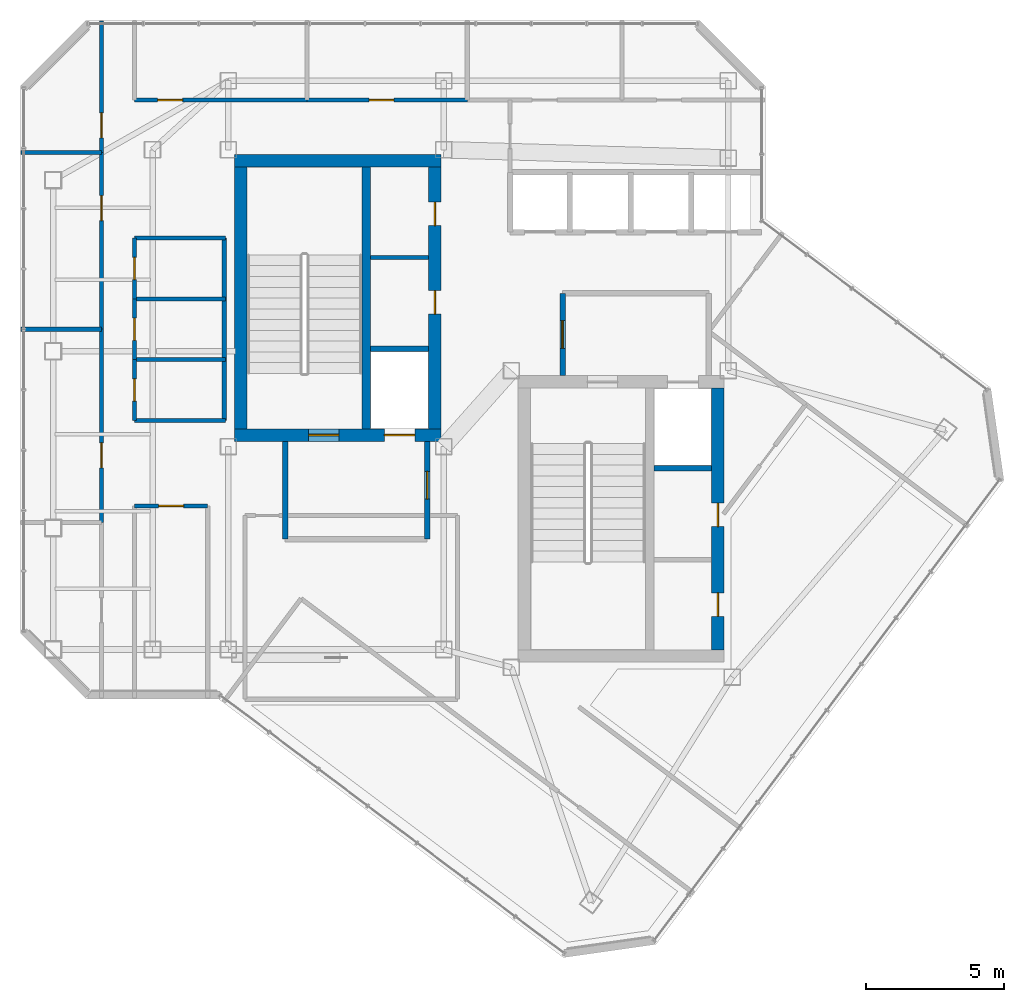
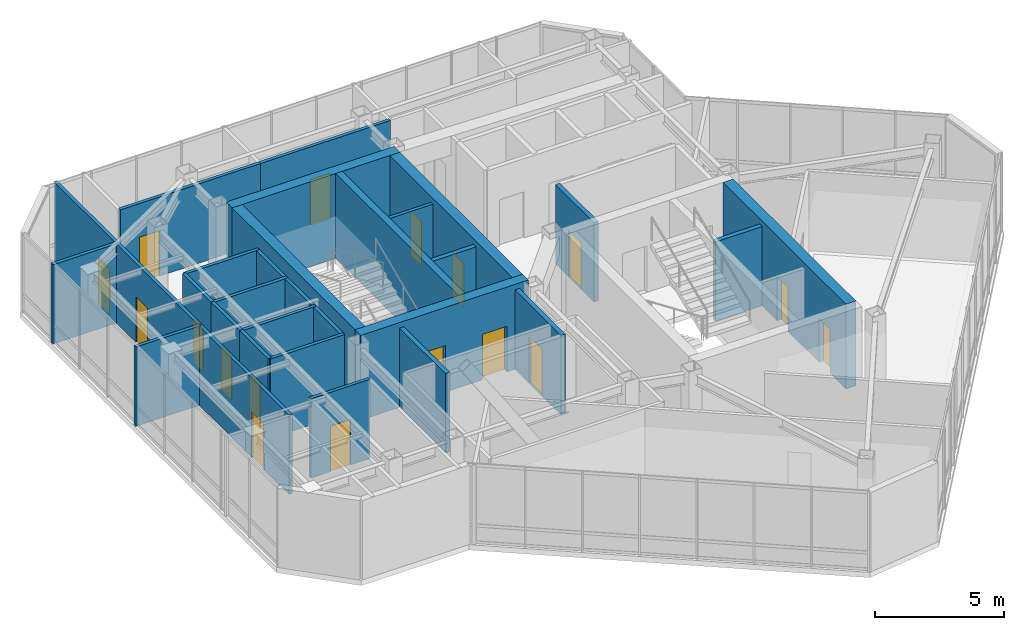
# One storey, part 27 of 31: 28 walls, 17 doors, 17 openings.
"""IFC4 building model written with IfcOpenShell, lengths in metres."""

from ifc_helpers import new_model, si_unit, direction, frame, frame_2d, origin, place, context, subcontext, project, spatial, rectangle, extrude, material, layer, layer_set, type_object, element, fill, save


model = new_model("IFC4")

# Units and contexts
model_context = context("Model", 3, precision=1e-05, world=origin(), true_north=direction((0.0, 1.0)))
body_context = subcontext(model_context, "Body", "Model", "MODEL_VIEW")
ifc_project = project(units=[si_unit("LENGTHUNIT", "METRE"), si_unit("AREAUNIT", "SQUARE_METRE"), si_unit("VOLUMEUNIT", "CUBIC_METRE"), si_unit("PLANEANGLEUNIT", "RADIAN"), si_unit("MASSUNIT", "GRAM", prefix="KILO")], contexts=[model_context])

# Site, building, storey
site_placement = place(None, origin())
site = spatial("IfcSite", under=ifc_project, at=site_placement, CompositionType="ELEMENT")
building_placement = place(site_placement, origin())
building = spatial("IfcBuilding", under=site, at=building_placement, Name="Hatsunagi Terrace Concourse", CompositionType="ELEMENT")
storey_placement = place(building_placement, frame((0.0, 0.0, 269.949951171875)))
storey = spatial("IfcBuildingStorey", under=building, at=storey_placement, Name="L71", CompositionType="ELEMENT", Elevation=269.949951171875)

# Wall, openings, doors
ifc_material_1 = material(Name="Concrete Fc42", Category="concrete")
ifc_layer_1 = layer(ifc_material_1, 0.449951171875)
ifc_layer_set_1 = layer_set([ifc_layer_1], Name="CoreShearWall_Fc42_450")
wall_type_1 = type_object("IfcWallType", Name="CoreShearWall_Fc42_450", PredefinedType="SHEAR", material=ifc_layer_set_1)
wall_1_placement = place(storey_placement, frame((25.77001953125, 32.965087890625, 0.0), z_axis=(0.0, 0.0, 1.0), x_axis=(1.0, 0.0, 0.0)))
wall_1 = element("IfcWall", 1, at=wall_1_placement, inside=storey, type_object=wall_type_1, Name="Core A Shear Wall S L71", PredefinedType="SHEAR", context=body_context, shape_type="SweptSolid", body=[
    extrude(rectangle(XDim=7.47998046875, YDim=0.449951171875, at=frame_2d((3.739990234375, 0.0))), origin(), (0.0, 0.0, 1.0), 4.0),
])
opening_1_placement = place(wall_1_placement, frame((2.679931640625, 0.0, 0.0)))
opening_1 = element("IfcOpeningElement", 2, at=opening_1_placement, cuts=wall_1, Name="Opening DR-110S", PredefinedType="OPENING", context=body_context, shape_type="SweptSolid", body=[
    extrude(rectangle(XDim=1.10009765625, YDim=2.199951171875, at=frame_2d((0.550048828125, 1.10009765625))), frame((0.0, 0.23486328125, 0.0), z_axis=(0.0, -1.0, 0.0), x_axis=(1.0, 0.0, 0.0)), (0.0, 0.0, 1.0), 0.469970703125),
])
opening_2_placement = place(wall_1_placement, frame((5.429931640625, 0.0, 0.0)))
opening_2 = element("IfcOpeningElement", 3, at=opening_2_placement, cuts=wall_1, Name="Opening LD-01", PredefinedType="OPENING", context=body_context, shape_type="SweptSolid", body=[
    extrude(rectangle(XDim=1.10009765625, YDim=2.14990234375, at=frame_2d((0.550048828125, 1.074951171875))), frame((0.0, 0.23486328125, 0.0), z_axis=(0.0, -1.0, 0.0), x_axis=(1.0, 0.0, 0.0)), (0.0, 0.0, 1.0), 0.469970703125),
])
ifc_material_2 = material(Name="Stainless steel", Category="steel")
door_type_1 = type_object("IfcDoorType", Name="LiftLandingDoor_LD01", OperationType="SLIDING_TO_LEFT", PredefinedType="USERDEFINED", material=ifc_material_2)
door_1_placement = place(opening_2_placement, origin())
door_1 = element("IfcDoor", 4, at=door_1_placement, inside=storey, type_object=door_type_1, Name="Lift landing door FF-01 L71", ObjectType="SLIDING_LANDING_DOOR", OperationType="SLIDING_TO_LEFT", OverallHeight=2.14990234375, OverallWidth=1.10009765625, PredefinedType="USERDEFINED", context=body_context, shape_type="SweptSolid", body=[
    extrude(rectangle(XDim=1.10009765625, YDim=2.14990234375, at=frame_2d((0.550048828125, 1.074951171875))), frame((0.0, 0.02490234375, 0.0), z_axis=(0.0, -1.0, 0.0), x_axis=(1.0, 0.0, 0.0)), (0.0, 0.0, 1.0), 0.050048828125),
])
fill(opening_2, door_1)
ifc_material_3 = material(Name="Painted steel", Category="steel")
door_type_2 = type_object("IfcDoorType", Name="StairFireDoor_EI60_1100", OperationType="NOTDEFINED", PredefinedType="DOOR", material=ifc_material_3)
door_2_placement = place(opening_1_placement, origin())
door_2 = element("IfcDoor", 5, at=door_2_placement, inside=storey, type_object=door_type_2, Name="Stair ST-A Exit Door L71", OperationType="SINGLE_SWING_LEFT", OverallHeight=2.199951171875, OverallWidth=1.10009765625, PredefinedType="DOOR", context=body_context, shape_type="SweptSolid", body=[
    extrude(rectangle(XDim=1.10009765625, YDim=2.199951171875, at=frame_2d((0.550048828125, 1.10009765625))), frame((0.0, 0.02490234375, 0.0), z_axis=(0.0, -1.0, 0.0), x_axis=(1.0, 0.0, 0.0)), (0.0, 0.0, 1.0), 0.050048828125),
])
fill(opening_1, door_2)

# Walls
wall_2_placement = place(storey_placement, frame((25.77001953125, 42.89501953125, 0.0), z_axis=(0.0, 0.0, 1.0), x_axis=(1.0, 0.0, 0.0)))
element("IfcWall", 6, at=wall_2_placement, inside=storey, type_object=wall_type_1, Name="Core A Shear Wall N L71", PredefinedType="SHEAR", context=body_context, shape_type="SweptSolid", body=[
    extrude(rectangle(XDim=7.47998046875, YDim=0.449951171875, at=frame_2d((3.739990234375, 0.0))), origin(), (0.0, 0.0, 1.0), 4.0),
])
wall_3_placement = place(storey_placement, frame((25.9951171875, 33.18994140625, 0.0), z_axis=(0.0, 0.0, 1.0), x_axis=(0.0, 1.0, 0.0)))
element("IfcWall", 7, at=wall_3_placement, inside=storey, type_object=wall_type_1, Name="Core A Shear Wall W L71", PredefinedType="SHEAR", context=body_context, shape_type="SweptSolid", body=[
    extrude(rectangle(XDim=9.47998046875, YDim=0.449951171875, at=frame_2d((4.739990234375, 0.0))), origin(), (0.0, 0.0, 1.0), 4.0),
])

# Wall, openings, doors
wall_4_placement = place(storey_placement, frame((33.02490234375, 33.18994140625, 0.0), z_axis=(0.0, 0.0, 1.0), x_axis=(0.0, 1.0, 0.0)))
wall_4 = element("IfcWall", 8, at=wall_4_placement, inside=storey, type_object=wall_type_1, Name="Core A Shear Wall E L71", PredefinedType="SHEAR", context=body_context, shape_type="SweptSolid", body=[
    extrude(rectangle(XDim=9.47998046875, YDim=0.449951171875, at=frame_2d((4.739990234375, 0.0))), origin(), (0.0, 0.0, 1.0), 4.0),
])
opening_3_placement = place(wall_4_placement, frame((4.159912109375, 0.0, 0.0)))
opening_3 = element("IfcOpeningElement", 9, at=opening_3_placement, cuts=wall_4, Name="Opening DR-085", PredefinedType="OPENING", context=body_context, shape_type="SweptSolid", body=[
    extrude(rectangle(XDim=0.85009765625, YDim=2.080078125, at=frame_2d((0.425048828125, 1.0400390625))), frame((0.0, 0.23486328125, 0.0), z_axis=(0.0, -1.0, 0.0), x_axis=(1.0, 0.0, 0.0)), (0.0, 0.0, 1.0), 0.469970703125),
])
opening_4_placement = place(wall_4_placement, frame((7.360107421875, 0.0, 0.0)))
opening_4 = element("IfcOpeningElement", 10, at=opening_4_placement, cuts=wall_4, Name="Opening DR-085", PredefinedType="OPENING", context=body_context, shape_type="SweptSolid", body=[
    extrude(rectangle(XDim=0.85009765625, YDim=2.080078125, at=frame_2d((0.425048828125, 1.0400390625))), frame((0.0, 0.23486328125, 0.0), z_axis=(0.0, -1.0, 0.0), x_axis=(1.0, 0.0, 0.0)), (0.0, 0.0, 1.0), 0.469970703125),
])
ifc_material_4 = material(Name="Painted steel", Category="steel")
door_type_3 = type_object("IfcDoorType", Name="RiserAccessDoor_EI60_850", OperationType="NOTDEFINED", PredefinedType="DOOR", material=ifc_material_4)
door_3_placement = place(opening_3_placement, origin())
door_3 = element("IfcDoor", 11, at=door_3_placement, inside=storey, type_object=door_type_3, Name="Core A Riser Door L71-1", OperationType="SINGLE_SWING_LEFT", OverallHeight=2.080078125, OverallWidth=0.85009765625, PredefinedType="DOOR", context=body_context, shape_type="SweptSolid", body=[
    extrude(rectangle(XDim=0.85009765625, YDim=2.080078125, at=frame_2d((0.425048828125, 1.0400390625))), frame((0.0, 0.02490234375, 0.0), z_axis=(0.0, -1.0, 0.0), x_axis=(1.0, 0.0, 0.0)), (0.0, 0.0, 1.0), 0.050048828125),
])
fill(opening_3, door_3)
door_4_placement = place(opening_4_placement, origin())
door_4 = element("IfcDoor", 12, at=door_4_placement, inside=storey, type_object=door_type_3, Name="Core A Riser Door L71-2", OperationType="SINGLE_SWING_LEFT", OverallHeight=2.080078125, OverallWidth=0.85009765625, PredefinedType="DOOR", context=body_context, shape_type="SweptSolid", body=[
    extrude(rectangle(XDim=0.85009765625, YDim=2.080078125, at=frame_2d((0.425048828125, 1.0400390625))), frame((0.0, 0.02490234375, 0.0), z_axis=(0.0, -1.0, 0.0), x_axis=(1.0, 0.0, 0.0)), (0.0, 0.0, 1.0), 0.050048828125),
])
fill(opening_4, door_4)

wall_5_placement = place(storey_placement, frame((43.27490234375, 25.18994140625, 0.0), z_axis=(0.0, 0.0, 1.0), x_axis=(0.0, 1.0, 0.0)))
wall_5 = element("IfcWall", 13, at=wall_5_placement, inside=storey, type_object=wall_type_1, Name="Core B Shear Wall E L71", PredefinedType="SHEAR", context=body_context, shape_type="SweptSolid", body=[
    extrude(rectangle(XDim=9.47998046875, YDim=0.449951171875, at=frame_2d((4.739990234375, 0.0))), origin(), (0.0, 0.0, 1.0), 4.0),
])
opening_5_placement = place(wall_5_placement, frame((1.2099609375, 0.0, 0.0)))
opening_5 = element("IfcOpeningElement", 14, at=opening_5_placement, cuts=wall_5, Name="Opening DR-085", PredefinedType="OPENING", context=body_context, shape_type="SweptSolid", body=[
    extrude(rectangle(XDim=0.85009765625, YDim=2.080078125, at=frame_2d((0.425048828125, 1.0400390625))), frame((0.0, 0.23486328125, 0.0), z_axis=(0.0, -1.0, 0.0), x_axis=(1.0, 0.0, 0.0)), (0.0, 0.0, 1.0), 0.469970703125),
])
opening_6_placement = place(wall_5_placement, frame((4.4599609375, 0.0, 0.0)))
opening_6 = element("IfcOpeningElement", 15, at=opening_6_placement, cuts=wall_5, Name="Opening DR-085", PredefinedType="OPENING", context=body_context, shape_type="SweptSolid", body=[
    extrude(rectangle(XDim=0.85009765625, YDim=2.080078125, at=frame_2d((0.425048828125, 1.0400390625))), frame((0.0, 0.23486328125, 0.0), z_axis=(0.0, -1.0, 0.0), x_axis=(1.0, 0.0, 0.0)), (0.0, 0.0, 1.0), 0.469970703125),
])
door_5_placement = place(opening_5_placement, origin())
door_5 = element("IfcDoor", 16, at=door_5_placement, inside=storey, type_object=door_type_3, Name="Core B Riser Door L71-1", OperationType="SINGLE_SWING_RIGHT", OverallHeight=2.080078125, OverallWidth=0.85009765625, PredefinedType="DOOR", context=body_context, shape_type="SweptSolid", body=[
    extrude(rectangle(XDim=0.85009765625, YDim=2.080078125, at=frame_2d((0.425048828125, 1.0400390625))), frame((0.0, 0.02490234375, 0.0), z_axis=(0.0, -1.0, 0.0), x_axis=(1.0, 0.0, 0.0)), (0.0, 0.0, 1.0), 0.050048828125),
])
fill(opening_5, door_5)
door_6_placement = place(opening_6_placement, origin())
door_6 = element("IfcDoor", 17, at=door_6_placement, inside=storey, type_object=door_type_3, Name="Core B Riser Door L71-2", OperationType="SINGLE_SWING_RIGHT", OverallHeight=2.080078125, OverallWidth=0.85009765625, PredefinedType="DOOR", context=body_context, shape_type="SweptSolid", body=[
    extrude(rectangle(XDim=0.85009765625, YDim=2.080078125, at=frame_2d((0.425048828125, 1.0400390625))), frame((0.0, 0.02490234375, 0.0), z_axis=(0.0, -1.0, 0.0), x_axis=(1.0, 0.0, 0.0)), (0.0, 0.0, 1.0), 0.050048828125),
])
fill(opening_6, door_6)

# Walls
ifc_material_5 = material(Name="Concrete Fc48", Category="concrete")
ifc_layer_2 = layer(ifc_material_5, 0.300048828125)
ifc_layer_set_2 = layer_set([ifc_layer_2], Name="CoreStairDivider_Fc48_300")
wall_type_2 = type_object("IfcWallType", Name="CoreStairDivider_Fc48_300", PredefinedType="SHEAR", material=ifc_layer_set_2)
wall_6_placement = place(storey_placement, frame((30.5400390625, 33.18994140625, 0.0), z_axis=(0.0, 0.0, 1.0), x_axis=(0.0, 1.0, 0.0)))
element("IfcWall", 18, at=wall_6_placement, inside=storey, type_object=wall_type_2, Name="Core A Shear Wall D L71", PredefinedType="SHEAR", context=body_context, shape_type="SweptSolid", body=[
    extrude(rectangle(XDim=9.47998046875, YDim=0.300048828125, at=frame_2d((4.739990234375, 0.0))), origin(), (0.0, 0.0, 1.0), 4.0),
])
ifc_material_6 = material(Name="Acoustic mineral board", Category="gypsum")
ifc_layer_3 = layer(ifc_material_6, 0.14990234375)
ifc_layer_set_3 = layer_set([ifc_layer_3], Name="PartitionWall_EI60_150")
wall_type_3 = type_object("IfcWallType", Name="PartitionWall_EI60_150", PredefinedType="PARTITIONING", material=ifc_layer_set_3)
wall_7_placement = place(storey_placement, frame((30.699951171875, 39.39990234375, 0.0), z_axis=(0.0, 0.0, 1.0), x_axis=(1.0, 0.0, 0.0)))
element("IfcWall", 19, at=wall_7_placement, inside=storey, type_object=wall_type_3, Name="Interior Partition IW-L71-002", PredefinedType="PARTITIONING", context=body_context, shape_type="SweptSolid", body=[
    extrude(rectangle(XDim=2.10009765625, YDim=0.14990234375, at=frame_2d((1.050048828125, 0.0))), origin(), (0.0, 0.0, 1.0), 3.739990234375),
])
for number, where, z_axis, x_axis, name in (
    (20, (22.14990234375, 33.5, 0.0), (0.0, 0.0, 1.0), (1.0, 0.0, 0.0), "Interior Partition IW-L71-017"),
    (21, (22.14990234375, 40.10009765625, 0.0), (0.0, 0.0, 1.0), (1.0, 0.0, 0.0), "Interior Partition IW-L71-018"),
):
    element("IfcWall", number, at=place(storey_placement, frame(where, z_axis=z_axis, x_axis=x_axis)), inside=storey, type_object=wall_type_3, Name=name, PredefinedType="PARTITIONING", context=body_context, shape_type="SweptSolid", body=[
        extrude(rectangle(XDim=3.300048828125, YDim=0.14990234375, at=frame_2d((1.64990234375, 0.0))), origin(), (0.0, 0.0, 1.0), 3.739990234375),
    ])
wall_8_placement = place(storey_placement, frame((25.39990234375, 33.5, 0.0), z_axis=(0.0, 0.0, 1.0), x_axis=(0.0, 1.0, 0.0)))
element("IfcWall", 22, at=wall_8_placement, inside=storey, type_object=wall_type_3, Name="Interior Partition IW-L71-019", PredefinedType="PARTITIONING", context=body_context, shape_type="SweptSolid", body=[
    extrude(rectangle(XDim=6.60009765625, YDim=0.14990234375, at=frame_2d((3.300048828125, 0.0))), origin(), (0.0, 0.0, 1.0), 3.739990234375),
])
for number, where, z_axis, x_axis, name in (
    (23, (22.14990234375, 35.699951171875, 0.0), (0.0, 0.0, 1.0), (1.0, 0.0, 0.0), "Interior Partition IW-L71-020"),
    (24, (22.14990234375, 37.89990234375, 0.0), (0.0, 0.0, 1.0), (1.0, 0.0, 0.0), "Interior Partition IW-L71-021"),
):
    element("IfcWall", number, at=place(storey_placement, frame(where, z_axis=z_axis, x_axis=x_axis)), inside=storey, type_object=wall_type_3, Name=name, PredefinedType="PARTITIONING", context=body_context, shape_type="SweptSolid", body=[
        extrude(rectangle(XDim=3.300048828125, YDim=0.14990234375, at=frame_2d((1.64990234375, 0.0))), origin(), (0.0, 0.0, 1.0), 3.739990234375),
    ])

# Wall, opening, door
wall_9_placement = place(storey_placement, frame((22.14990234375, 33.5, 0.0), z_axis=(0.0, 0.0, 1.0), x_axis=(0.0, 1.0, 0.0)))
wall_9 = element("IfcWall", 25, at=wall_9_placement, inside=storey, type_object=wall_type_3, Name="Interior Partition IW-L71-022", PredefinedType="PARTITIONING", context=body_context, shape_type="SweptSolid", body=[
    extrude(rectangle(XDim=2.199951171875, YDim=0.14990234375, at=frame_2d((1.10009765625, 0.0))), origin(), (0.0, 0.0, 1.0), 3.739990234375),
])
opening_7_placement = place(wall_9_placement, frame((0.699951171875, 0.0, 0.0)))
opening_7 = element("IfcOpeningElement", 26, at=opening_7_placement, cuts=wall_9, Name="Opening DR-080", PredefinedType="OPENING", context=body_context, shape_type="SweptSolid", body=[
    extrude(rectangle(XDim=0.800048828125, YDim=2.06005859375, at=frame_2d((0.39990234375, 1.030029296875))), frame((0.0, 0.0849609375, 0.0), z_axis=(0.0, -1.0, 0.0), x_axis=(1.0, 0.0, 0.0)), (0.0, 0.0, 1.0), 0.169921875),
])
ifc_material_7 = material(Name="Hardwood timber", Category="wood")
door_type_4 = type_object("IfcDoorType", Name="BathroomDoor_800", OperationType="NOTDEFINED", PredefinedType="DOOR", material=ifc_material_7)
door_7_placement = place(opening_7_placement, origin())
door_7 = element("IfcDoor", 27, at=door_7_placement, inside=storey, type_object=door_type_4, Name="Accessible WC Door L71", OperationType="SINGLE_SWING_RIGHT", OverallHeight=2.06005859375, OverallWidth=0.800048828125, PredefinedType="DOOR", context=body_context, shape_type="SweptSolid", body=[
    extrude(rectangle(XDim=0.800048828125, YDim=2.06005859375, at=frame_2d((0.39990234375, 1.030029296875))), frame((0.0, 0.02490234375, 0.0), z_axis=(0.0, -1.0, 0.0), x_axis=(1.0, 0.0, 0.0)), (0.0, 0.0, 1.0), 0.050048828125),
])
fill(opening_7, door_7)

wall_10_placement = place(storey_placement, frame((22.14990234375, 35.699951171875, 0.0), z_axis=(0.0, 0.0, 1.0), x_axis=(0.0, 1.0, 0.0)))
wall_10 = element("IfcWall", 28, at=wall_10_placement, inside=storey, type_object=wall_type_3, Name="Interior Partition IW-L71-023", PredefinedType="PARTITIONING", context=body_context, shape_type="SweptSolid", body=[
    extrude(rectangle(XDim=2.199951171875, YDim=0.14990234375, at=frame_2d((1.10009765625, 0.0))), origin(), (0.0, 0.0, 1.0), 3.739990234375),
])
opening_8_placement = place(wall_10_placement, frame((0.699951171875, 0.0, 0.0)))
opening_8 = element("IfcOpeningElement", 29, at=opening_8_placement, cuts=wall_10, Name="Opening DR-080", PredefinedType="OPENING", context=body_context, shape_type="SweptSolid", body=[
    extrude(rectangle(XDim=0.800048828125, YDim=2.06005859375, at=frame_2d((0.39990234375, 1.030029296875))), frame((0.0, 0.0849609375, 0.0), z_axis=(0.0, -1.0, 0.0), x_axis=(1.0, 0.0, 0.0)), (0.0, 0.0, 1.0), 0.169921875),
])
door_8_placement = place(opening_8_placement, origin())
door_8 = element("IfcDoor", 30, at=door_8_placement, inside=storey, type_object=door_type_4, Name="Female Restroom Door L71", OperationType="SINGLE_SWING_RIGHT", OverallHeight=2.06005859375, OverallWidth=0.800048828125, PredefinedType="DOOR", context=body_context, shape_type="SweptSolid", body=[
    extrude(rectangle(XDim=0.800048828125, YDim=2.06005859375, at=frame_2d((0.39990234375, 1.030029296875))), frame((0.0, 0.02490234375, 0.0), z_axis=(0.0, -1.0, 0.0), x_axis=(1.0, 0.0, 0.0)), (0.0, 0.0, 1.0), 0.050048828125),
])
fill(opening_8, door_8)

wall_11_placement = place(storey_placement, frame((22.14990234375, 37.89990234375, 0.0), z_axis=(0.0, 0.0, 1.0), x_axis=(0.0, 1.0, 0.0)))
wall_11 = element("IfcWall", 31, at=wall_11_placement, inside=storey, type_object=wall_type_3, Name="Interior Partition IW-L71-024", PredefinedType="PARTITIONING", context=body_context, shape_type="SweptSolid", body=[
    extrude(rectangle(XDim=2.2001953125, YDim=0.14990234375, at=frame_2d((1.10009765625, 0.0))), origin(), (0.0, 0.0, 1.0), 3.739990234375),
])
opening_9_placement = place(wall_11_placement, frame((0.699951171875, 0.0, 0.0)))
opening_9 = element("IfcOpeningElement", 32, at=opening_9_placement, cuts=wall_11, Name="Opening DR-080", PredefinedType="OPENING", context=body_context, shape_type="SweptSolid", body=[
    extrude(rectangle(XDim=0.800048828125, YDim=2.06005859375, at=frame_2d((0.39990234375, 1.030029296875))), frame((0.0, 0.0849609375, 0.0), z_axis=(0.0, -1.0, 0.0), x_axis=(1.0, 0.0, 0.0)), (0.0, 0.0, 1.0), 0.169921875),
])
door_9_placement = place(opening_9_placement, origin())
door_9 = element("IfcDoor", 33, at=door_9_placement, inside=storey, type_object=door_type_4, Name="Male Restroom Door L71", OperationType="SINGLE_SWING_RIGHT", OverallHeight=2.06005859375, OverallWidth=0.800048828125, PredefinedType="DOOR", context=body_context, shape_type="SweptSolid", body=[
    extrude(rectangle(XDim=0.800048828125, YDim=2.06005859375, at=frame_2d((0.39990234375, 1.030029296875))), frame((0.0, 0.02490234375, 0.0), z_axis=(0.0, -1.0, 0.0), x_axis=(1.0, 0.0, 0.0)), (0.0, 0.0, 1.0), 0.050048828125),
])
fill(opening_9, door_9)

wall_12_placement = place(storey_placement, frame((22.14990234375, 45.10009765625, 0.0), z_axis=(0.0, 0.0, 1.0), x_axis=(1.0, 0.0, 0.0)))
wall_12 = element("IfcWall", 34, at=wall_12_placement, inside=storey, type_object=wall_type_3, Name="Interior Partition IW-L71-029", PredefinedType="PARTITIONING", context=body_context, shape_type="SweptSolid", body=[
    extrude(rectangle(XDim=6.25, YDim=0.14990234375, at=frame_2d((3.125, 0.0))), origin(), (0.0, 0.0, 1.0), 3.739990234375),
])
opening_10_placement = place(wall_12_placement, frame((0.839111328125, 0.0, 0.0)))
opening_10 = element("IfcOpeningElement", 35, at=opening_10_placement, cuts=wall_12, Name="Opening DR-090", PredefinedType="OPENING", context=body_context, shape_type="SweptSolid", body=[
    extrude(rectangle(XDim=0.89990234375, YDim=2.14990234375, at=frame_2d((0.449951171875, 1.074951171875))), frame((0.0, 0.0849609375, 0.0), z_axis=(0.0, -1.0, 0.0), x_axis=(1.0, 0.0, 0.0)), (0.0, 0.0, 1.0), 0.169921875),
])
ifc_material_8 = material(Name="Hardwood timber", Category="wood")
door_type_5 = type_object("IfcDoorType", Name="CrownPavilionDoor_EI30_900", OperationType="NOTDEFINED", PredefinedType="DOOR", material=ifc_material_8)
door_10_placement = place(opening_10_placement, origin())
door_10 = element("IfcDoor", 36, at=door_10_placement, inside=storey, type_object=door_type_5, Name="Focus Room L71-CRN1 Door", OperationType="SINGLE_SWING_LEFT", OverallHeight=2.14990234375, OverallWidth=0.89990234375, PredefinedType="DOOR", context=body_context, shape_type="SweptSolid", body=[
    extrude(rectangle(XDim=0.89990234375, YDim=2.14990234375, at=frame_2d((0.449951171875, 1.074951171875))), frame((0.0, 0.02490234375, 0.0), z_axis=(0.0, -1.0, 0.0), x_axis=(1.0, 0.0, 0.0)), (0.0, 0.0, 1.0), 0.050048828125),
])
fill(opening_10, door_10)

wall_13_placement = place(storey_placement, frame((28.39990234375, 45.10009765625, 0.0), z_axis=(0.0, 0.0, 1.0), x_axis=(1.0, 0.0, 0.0)))
wall_13 = element("IfcWall", 37, at=wall_13_placement, inside=storey, type_object=wall_type_3, Name="Interior Partition IW-L71-032", PredefinedType="PARTITIONING", context=body_context, shape_type="SweptSolid", body=[
    extrude(rectangle(XDim=5.800048828125, YDim=0.14990234375, at=frame_2d((2.89990234375, 0.0))), origin(), (0.0, 0.0, 1.0), 3.739990234375),
])
opening_11_placement = place(wall_13_placement, frame((2.242919921875, 0.0, 0.0)))
opening_11 = element("IfcOpeningElement", 38, at=opening_11_placement, cuts=wall_13, Name="Opening DR-090", PredefinedType="OPENING", context=body_context, shape_type="SweptSolid", body=[
    extrude(rectangle(XDim=0.89990234375, YDim=2.14990234375, at=frame_2d((0.449951171875, 1.074951171875))), frame((0.0, 0.0849609375, 0.0), z_axis=(0.0, -1.0, 0.0), x_axis=(1.0, 0.0, 0.0)), (0.0, 0.0, 1.0), 0.169921875),
])
door_11_placement = place(opening_11_placement, origin())
door_11 = element("IfcDoor", 39, at=door_11_placement, inside=storey, type_object=door_type_5, Name="Executive Office L71-CRN2 Door", OperationType="SINGLE_SWING_RIGHT", OverallHeight=2.14990234375, OverallWidth=0.89990234375, PredefinedType="DOOR", context=body_context, shape_type="SweptSolid", body=[
    extrude(rectangle(XDim=0.89990234375, YDim=2.14990234375, at=frame_2d((0.449951171875, 1.074951171875))), frame((0.0, 0.02490234375, 0.0), z_axis=(0.0, -1.0, 0.0), x_axis=(1.0, 0.0, 0.0)), (0.0, 0.0, 1.0), 0.050048828125),
])
fill(opening_11, door_11)

# Wall
wall_14_placement = place(storey_placement, frame((18.0400390625, 36.800048828125, 0.0), z_axis=(0.0, 0.0, 1.0), x_axis=(1.0, 0.0, 0.0)))
element("IfcWall", 40, at=wall_14_placement, inside=storey, type_object=wall_type_3, Name="Interior Partition IW-L71-042", PredefinedType="PARTITIONING", context=body_context, shape_type="SweptSolid", body=[
    extrude(rectangle(XDim=2.909912109375, YDim=0.14990234375, at=frame_2d((1.455078125, 0.0))), origin(), (0.0, 0.0, 1.0), 3.739990234375),
])

# Wall, opening, door
wall_15_placement = place(storey_placement, frame((20.949951171875, 29.800048828125, 0.0), z_axis=(0.0, 0.0, 1.0), x_axis=(0.0, 1.0, 0.0)))
wall_15 = element("IfcWall", 41, at=wall_15_placement, inside=storey, type_object=wall_type_3, Name="Interior Partition IW-L71-043", PredefinedType="PARTITIONING", context=body_context, shape_type="SweptSolid", body=[
    extrude(rectangle(XDim=7.0, YDim=0.14990234375, at=frame_2d((3.5, 0.0))), origin(), (0.0, 0.0, 1.0), 3.739990234375),
])
opening_12_placement = place(wall_15_placement, frame((1.98193359375, 0.0, 0.0)))
opening_12 = element("IfcOpeningElement", 42, at=opening_12_placement, cuts=wall_15, Name="Opening DR-090", PredefinedType="OPENING", context=body_context, shape_type="SweptSolid", body=[
    extrude(rectangle(XDim=0.89990234375, YDim=2.14990234375, at=frame_2d((0.449951171875, 1.074951171875))), frame((0.0, 0.0849609375, 0.0), z_axis=(0.0, -1.0, 0.0), x_axis=(1.0, 0.0, 0.0)), (0.0, 0.0, 1.0), 0.169921875),
])
door_12_placement = place(opening_12_placement, origin())
door_12 = element("IfcDoor", 43, at=door_12_placement, inside=storey, type_object=door_type_5, Name="Meeting Room L71-CRW2 Door", OperationType="SINGLE_SWING_RIGHT", OverallHeight=2.14990234375, OverallWidth=0.89990234375, PredefinedType="DOOR", context=body_context, shape_type="SweptSolid", body=[
    extrude(rectangle(XDim=0.89990234375, YDim=2.14990234375, at=frame_2d((0.449951171875, 1.074951171875))), frame((0.0, 0.02490234375, 0.0), z_axis=(0.0, -1.0, 0.0), x_axis=(1.0, 0.0, 0.0)), (0.0, 0.0, 1.0), 0.050048828125),
])
fill(opening_12, door_12)

# Wall
wall_16_placement = place(storey_placement, frame((18.0400390625, 43.199951171875, 0.0), z_axis=(0.0, 0.0, 1.0), x_axis=(1.0, 0.0, 0.0)))
element("IfcWall", 44, at=wall_16_placement, inside=storey, type_object=wall_type_3, Name="Interior Partition IW-L71-044", PredefinedType="PARTITIONING", context=body_context, shape_type="SweptSolid", body=[
    extrude(rectangle(XDim=2.909912109375, YDim=0.14990234375, at=frame_2d((1.455078125, 0.0))), origin(), (0.0, 0.0, 1.0), 3.739990234375),
])

# Wall, opening, door
wall_17_placement = place(storey_placement, frame((20.949951171875, 36.800048828125, 0.0), z_axis=(0.0, 0.0, 1.0), x_axis=(0.0, 1.0, 0.0)))
wall_17 = element("IfcWall", 45, at=wall_17_placement, inside=storey, type_object=wall_type_3, Name="Interior Partition IW-L71-045", PredefinedType="PARTITIONING", context=body_context, shape_type="SweptSolid", body=[
    extrude(rectangle(XDim=6.39990234375, YDim=0.14990234375, at=frame_2d((3.199951171875, 0.0))), origin(), (0.0, 0.0, 1.0), 3.739990234375),
])
opening_13_placement = place(wall_17_placement, frame((3.93505859375, 0.0, 0.0)))
opening_13 = element("IfcOpeningElement", 46, at=opening_13_placement, cuts=wall_17, Name="Opening DR-090", PredefinedType="OPENING", context=body_context, shape_type="SweptSolid", body=[
    extrude(rectangle(XDim=0.89990234375, YDim=2.14990234375, at=frame_2d((0.449951171875, 1.074951171875))), frame((0.0, 0.0849609375, 0.0), z_axis=(0.0, -1.0, 0.0), x_axis=(1.0, 0.0, 0.0)), (0.0, 0.0, 1.0), 0.169921875),
])
door_13_placement = place(opening_13_placement, origin())
door_13 = element("IfcDoor", 47, at=door_13_placement, inside=storey, type_object=door_type_5, Name="Boardroom L71-CRW3 Door", OperationType="SINGLE_SWING_RIGHT", OverallHeight=2.14990234375, OverallWidth=0.89990234375, PredefinedType="DOOR", context=body_context, shape_type="SweptSolid", body=[
    extrude(rectangle(XDim=0.89990234375, YDim=2.14990234375, at=frame_2d((0.449951171875, 1.074951171875))), frame((0.0, 0.02490234375, 0.0), z_axis=(0.0, -1.0, 0.0), x_axis=(1.0, 0.0, 0.0)), (0.0, 0.0, 1.0), 0.050048828125),
])
fill(opening_13, door_13)

wall_18_placement = place(storey_placement, frame((20.949951171875, 43.199951171875, 0.0), z_axis=(0.0, 0.0, 1.0), x_axis=(0.0, 1.0, 0.0)))
wall_18 = element("IfcWall", 48, at=wall_18_placement, inside=storey, type_object=wall_type_3, Name="Interior Partition IW-L71-046", PredefinedType="PARTITIONING", context=body_context, shape_type="SweptSolid", body=[
    extrude(rectangle(XDim=4.760009765625, YDim=0.14990234375, at=frame_2d((2.3798828125, 0.0))), origin(), (0.0, 0.0, 1.0), 3.739990234375),
])
opening_14_placement = place(wall_18_placement, frame((0.534912109375, 0.0, 0.0)))
opening_14 = element("IfcOpeningElement", 49, at=opening_14_placement, cuts=wall_18, Name="Opening DR-090", PredefinedType="OPENING", context=body_context, shape_type="SweptSolid", body=[
    extrude(rectangle(XDim=0.89990234375, YDim=2.14990234375, at=frame_2d((0.449951171875, 1.074951171875))), frame((0.0, 0.0849609375, 0.0), z_axis=(0.0, -1.0, 0.0), x_axis=(1.0, 0.0, 0.0)), (0.0, 0.0, 1.0), 0.169921875),
])
door_14_placement = place(opening_14_placement, origin())
door_14 = element("IfcDoor", 50, at=door_14_placement, inside=storey, type_object=door_type_5, Name="Focus Room L71-CRW4 Door", OperationType="SINGLE_SWING_LEFT", OverallHeight=2.14990234375, OverallWidth=0.89990234375, PredefinedType="DOOR", context=body_context, shape_type="SweptSolid", body=[
    extrude(rectangle(XDim=0.89990234375, YDim=2.14990234375, at=frame_2d((0.449951171875, 1.074951171875))), frame((0.0, 0.02490234375, 0.0), z_axis=(0.0, -1.0, 0.0), x_axis=(1.0, 0.0, 0.0)), (0.0, 0.0, 1.0), 0.050048828125),
])
fill(opening_14, door_14)

wall_19_placement = place(storey_placement, frame((22.14990234375, 30.39990234375, 0.0), z_axis=(0.0, 0.0, 1.0), x_axis=(1.0, 0.0, 0.0)))
wall_19 = element("IfcWall", 51, at=wall_19_placement, inside=storey, type_object=wall_type_3, Name="Interior Partition IW-L71-047", PredefinedType="PARTITIONING", context=body_context, shape_type="SweptSolid", body=[
    extrude(rectangle(XDim=2.650146484375, YDim=0.14990234375, at=frame_2d((1.3251953125, 0.0))), origin(), (0.0, 0.0, 1.0), 3.739990234375),
])
opening_15_placement = place(wall_19_placement, frame((0.875, 0.0, 0.0)))
opening_15 = element("IfcOpeningElement", 52, at=opening_15_placement, cuts=wall_19, Name="Opening DR-090", PredefinedType="OPENING", context=body_context, shape_type="SweptSolid", body=[
    extrude(rectangle(XDim=0.89990234375, YDim=2.14990234375, at=frame_2d((0.449951171875, 1.074951171875))), frame((0.0, 0.0849609375, 0.0), z_axis=(0.0, -1.0, 0.0), x_axis=(1.0, 0.0, 0.0)), (0.0, 0.0, 1.0), 0.169921875),
])
door_15_placement = place(opening_15_placement, origin())
door_15 = element("IfcDoor", 53, at=door_15_placement, inside=storey, type_object=door_type_5, Name="Private Salon L71-CRSW1 Door", OperationType="SINGLE_SWING_RIGHT", OverallHeight=2.14990234375, OverallWidth=0.89990234375, PredefinedType="DOOR", context=body_context, shape_type="SweptSolid", body=[
    extrude(rectangle(XDim=0.89990234375, YDim=2.14990234375, at=frame_2d((0.449951171875, 1.074951171875))), frame((0.0, 0.02490234375, 0.0), z_axis=(0.0, -1.0, 0.0), x_axis=(1.0, 0.0, 0.0)), (0.0, 0.0, 1.0), 0.050048828125),
])
fill(opening_15, door_15)

# Walls
ifc_material_9 = material(Name="Acoustic mineral board", Category="gypsum")
ifc_layer_4 = layer(ifc_material_9, 0.199951171875)
ifc_layer_set_4 = layer_set([ifc_layer_4], Name="ShaftWall_EI120_200")
wall_type_4 = type_object("IfcWallType", Name="ShaftWall_EI120_200", PredefinedType="STANDARD", material=ifc_layer_set_4)
wall_20_placement = place(storey_placement, frame((30.699951171875, 36.10009765625, 0.0), z_axis=(0.0, 0.0, 1.0), x_axis=(1.0, 0.0, 0.0)))
element("IfcWall", 54, at=wall_20_placement, inside=storey, type_object=wall_type_4, Name="Interior Partition IW-L71-001", PredefinedType="STANDARD", context=body_context, shape_type="SweptSolid", body=[
    extrude(rectangle(XDim=2.10009765625, YDim=0.199951171875, at=frame_2d((1.050048828125, 0.0))), origin(), (0.0, 0.0, 1.0), 3.739990234375),
])
wall_21_placement = place(storey_placement, frame((40.969970703125, 31.760009765625, 0.0), z_axis=(0.0, 0.0, 1.0), x_axis=(1.0, 0.0, 0.0)))
element("IfcWall", 55, at=wall_21_placement, inside=storey, type_object=wall_type_4, Name="Interior Partition IW-L71-003", PredefinedType="STANDARD", context=body_context, shape_type="SweptSolid", body=[
    extrude(rectangle(XDim=2.080078125, YDim=0.199951171875, at=frame_2d((1.0400390625, 0.0))), origin(), (0.0, 0.0, 1.0), 3.739990234375),
])
wall_22_placement = place(storey_placement, frame((27.60009765625, 29.199951171875, 0.0), z_axis=(0.0, 0.0, 1.0), x_axis=(0.0, 1.0, 0.0)))
element("IfcWall", 56, at=wall_22_placement, inside=storey, type_object=wall_type_4, Name="Interior Partition IW-L71-006", PredefinedType="STANDARD", context=body_context, shape_type="SweptSolid", body=[
    extrude(rectangle(XDim=3.5400390625, YDim=0.199951171875, at=frame_2d((1.77001953125, 0.0))), origin(), (0.0, 0.0, 1.0), 3.739990234375),
])

# Wall, opening, door
wall_23_placement = place(storey_placement, frame((32.75, 29.199951171875, 0.0), z_axis=(0.0, 0.0, 1.0), x_axis=(0.0, 1.0, 0.0)))
wall_23 = element("IfcWall", 57, at=wall_23_placement, inside=storey, type_object=wall_type_4, Name="Interior Partition IW-L71-007", PredefinedType="STANDARD", context=body_context, shape_type="SweptSolid", body=[
    extrude(rectangle(XDim=3.5400390625, YDim=0.199951171875, at=frame_2d((1.77001953125, 0.0))), origin(), (0.0, 0.0, 1.0), 3.739990234375),
])
opening_16_placement = place(wall_23_placement, frame((1.449951171875, 0.0, 0.0)))
opening_16 = element("IfcOpeningElement", 58, at=opening_16_placement, cuts=wall_23, Name="Opening DR-100F", PredefinedType="OPENING", context=body_context, shape_type="SweptSolid", body=[
    extrude(rectangle(XDim=1.0, YDim=2.199951171875, at=frame_2d((0.5, 1.10009765625))), frame((0.0, 0.10986328125, 0.0), z_axis=(0.0, -1.0, 0.0), x_axis=(1.0, 0.0, 0.0)), (0.0, 0.0, 1.0), 0.219970703125),
])
ifc_material_10 = material(Name="Painted steel", Category="steel")
door_type_6 = type_object("IfcDoorType", Name="FireDoor_EI60_1000", OperationType="NOTDEFINED", PredefinedType="DOOR", material=ifc_material_10)
door_16_placement = place(opening_16_placement, origin())
door_16 = element("IfcDoor", 59, at=door_16_placement, inside=storey, type_object=door_type_6, Name="Firefighting Lobby A Door L71", OperationType="SINGLE_SWING_RIGHT", OverallHeight=2.199951171875, OverallWidth=1.0, PredefinedType="DOOR", context=body_context, shape_type="SweptSolid", body=[
    extrude(rectangle(XDim=1.0, YDim=2.199951171875, at=frame_2d((0.5, 1.10009765625))), frame((0.0, 0.02490234375, 0.0), z_axis=(0.0, -1.0, 0.0), x_axis=(1.0, 0.0, 0.0)), (0.0, 0.0, 1.0), 0.050048828125),
])
fill(opening_16, door_16)

wall_24_placement = place(storey_placement, frame((37.64990234375, 35.1201171875, 0.0), z_axis=(0.0, 0.0, 1.0), x_axis=(0.0, 1.0, 0.0)))
wall_24 = element("IfcWall", 60, at=wall_24_placement, inside=storey, type_object=wall_type_4, Name="Interior Partition IW-L71-010", PredefinedType="STANDARD", context=body_context, shape_type="SweptSolid", body=[
    extrude(rectangle(XDim=2.97998046875, YDim=0.199951171875, at=frame_2d((1.489990234375, 0.0))), origin(), (0.0, 0.0, 1.0), 3.739990234375),
])
opening_17_placement = place(wall_24_placement, frame((0.989990234375, 0.0, 0.0)))
opening_17 = element("IfcOpeningElement", 61, at=opening_17_placement, cuts=wall_24, Name="Opening DR-100F", PredefinedType="OPENING", context=body_context, shape_type="SweptSolid", body=[
    extrude(rectangle(XDim=1.0, YDim=2.199951171875, at=frame_2d((0.5, 1.10009765625))), frame((0.0, 0.10986328125, 0.0), z_axis=(0.0, -1.0, 0.0), x_axis=(1.0, 0.0, 0.0)), (0.0, 0.0, 1.0), 0.219970703125),
])
door_17_placement = place(opening_17_placement, origin())
door_17 = element("IfcDoor", 62, at=door_17_placement, inside=storey, type_object=door_type_6, Name="Firefighting Lobby B Door L71", OperationType="SINGLE_SWING_RIGHT", OverallHeight=2.199951171875, OverallWidth=1.0, PredefinedType="DOOR", context=body_context, shape_type="SweptSolid", body=[
    extrude(rectangle(XDim=1.0, YDim=2.199951171875, at=frame_2d((0.5, 1.10009765625))), frame((0.0, 0.02490234375, 0.0), z_axis=(0.0, -1.0, 0.0), x_axis=(1.0, 0.0, 0.0)), (0.0, 0.0, 1.0), 0.050048828125),
])
fill(opening_17, door_17)

save(model, "model.ifc")
